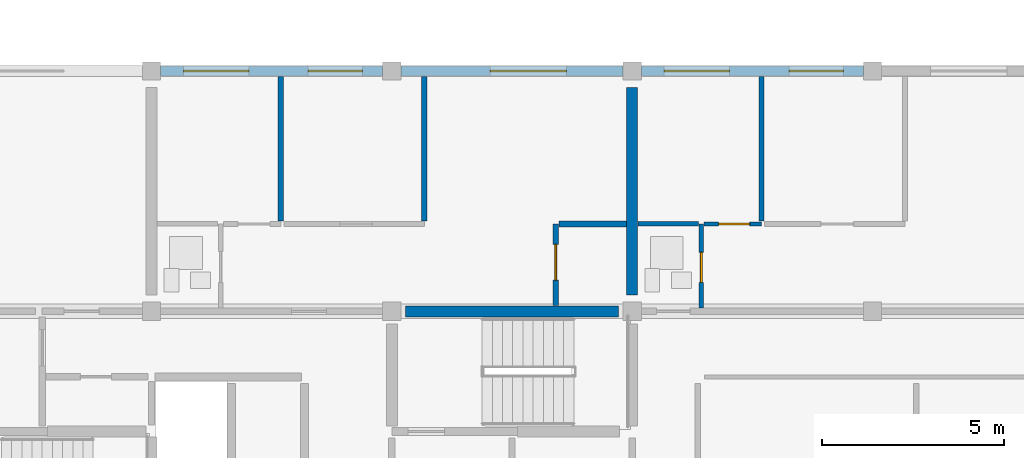
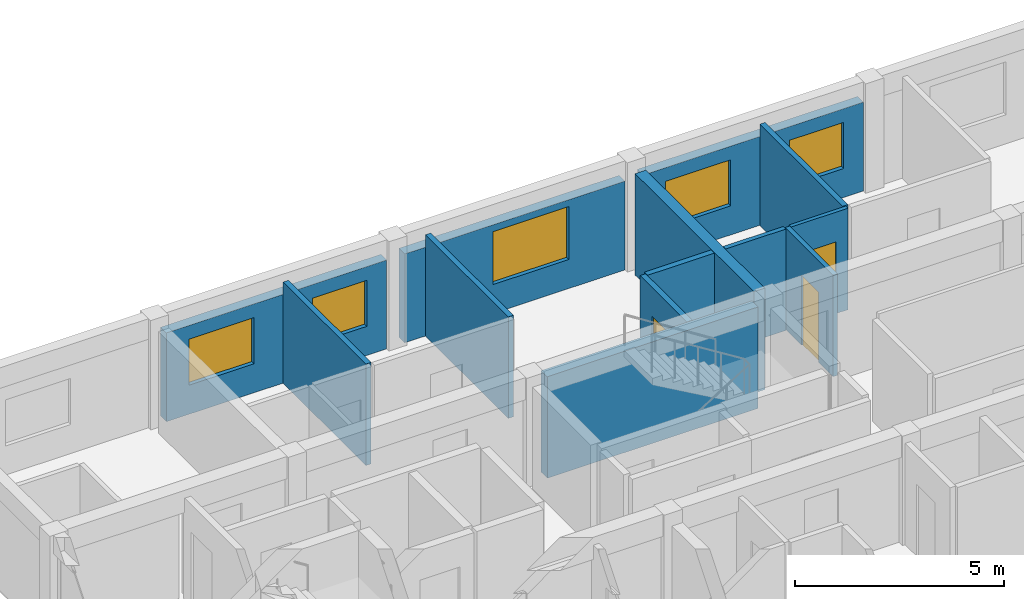
# One storey, part 36 of 49: 13 walls, 5 windows, 3 doors, 8 openings.
"""IFC4 building model written with IfcOpenShell, lengths in metres."""

from ifc_helpers import new_model, si_unit, direction, frame, frame_2d, origin, place, context, subcontext, project, spatial, rectangle, extrude, material, layer, layer_set, type_object, element, fill, save


model = new_model("IFC4")

# Units and contexts
model_context = context("Model", 3, precision=1e-05, world=origin(), true_north=direction((0.0, 1.0)))
body_context = subcontext(model_context, "Body", "Model", "MODEL_VIEW")
ifc_project = project(units=[si_unit("LENGTHUNIT", "METRE"), si_unit("AREAUNIT", "SQUARE_METRE"), si_unit("VOLUMEUNIT", "CUBIC_METRE"), si_unit("PLANEANGLEUNIT", "RADIAN"), si_unit("MASSUNIT", "GRAM", prefix="KILO")], contexts=[model_context])

# Site, building, storey
site_placement = place(None, origin())
site = spatial("IfcSite", under=ifc_project, at=site_placement, CompositionType="ELEMENT")
building_placement = place(site_placement, origin())
building = spatial("IfcBuilding", under=site, at=building_placement, Name="Kernevlak Ridge Housing Community", CompositionType="ELEMENT")
storey_placement = place(building_placement, frame((0.0, 0.0, 30.800048828125)))
storey = spatial("IfcBuildingStorey", under=building, at=storey_placement, Name="L09", CompositionType="ELEMENT", Elevation=30.800048828125)

# Wall, openings, windows
ifc_material_1 = material(Name="Concrete block masonry M10", Category="masonry")
ifc_layer_1 = layer(ifc_material_1, 0.280029296875, Name="Concrete block masonry M10")
ifc_layer_set_1 = layer_set([ifc_layer_1], Name="Concrete block masonry M10")
wall_type_1 = type_object("IfcWallType", Name="EW-03", PredefinedType="STANDARD", material=ifc_layer_set_1)
wall_1_placement = place(storey_placement, frame((126.25, 102.39990234375, 0.0), z_axis=(0.0, 0.0, 1.0), x_axis=(1.0, 0.0, 0.0)))
wall_1 = element("IfcWall", 1, at=wall_1_placement, inside=storey, type_object=wall_type_1, Name="Exterior wall EW-03 L09 441", PredefinedType="STANDARD", context=body_context, shape_type="SweptSolid", body=[
    extrude(rectangle(XDim=6.10009765625, YDim=0.280029296875, at=frame_2d((3.050048828125, 0.0))), origin(), (0.0, 0.0, 1.0), 2.599853515625),
])
opening_1_placement = place(wall_1_placement, frame((0.625, 0.0, 0.85009765625)))
opening_1 = element("IfcOpeningElement", 2, at=opening_1_placement, cuts=wall_1, Name="Opening WT-03", PredefinedType="OPENING", context=body_context, shape_type="SweptSolid", body=[
    extrude(rectangle(XDim=1.800048828125, YDim=1.35009765625, at=frame_2d((0.89990234375, 0.675048828125))), frame((0.0, 0.14990234375, 0.0), z_axis=(0.0, -1.0, 0.0), x_axis=(1.0, 0.0, 0.0)), (0.0, 0.0, 1.0), 0.300048828125),
])
opening_2_placement = place(wall_1_placement, frame((4.050048828125, 0.0, 0.85009765625)))
opening_2 = element("IfcOpeningElement", 3, at=opening_2_placement, cuts=wall_1, Name="Opening WT-02", PredefinedType="OPENING", context=body_context, shape_type="SweptSolid", body=[
    extrude(rectangle(XDim=1.5, YDim=1.35009765625, at=frame_2d((0.75, 0.675048828125))), frame((0.0, 0.14990234375, 0.0), z_axis=(0.0, -1.0, 0.0), x_axis=(1.0, 0.0, 0.0)), (0.0, 0.0, 1.0), 0.300048828125),
])
ifc_material_2 = material(Name="Aluminium EN AW-6060 anodised and laminated glass", Category="aluminium")
window_type_1 = type_object("IfcWindowType", Name="WT-02", PartitioningType="SINGLE_PANEL", PredefinedType="WINDOW", material=ifc_material_2)
window_1_placement = place(opening_2_placement, origin())
window_1 = element("IfcWindow", 4, at=window_1_placement, inside=storey, type_object=window_type_1, Name="Window WT-02 L09 343", OverallHeight=1.35009765625, OverallWidth=1.5, PartitioningType="SINGLE_PANEL", PredefinedType="WINDOW", context=body_context, shape_type="SweptSolid", body=[
    extrude(rectangle(XDim=1.5, YDim=1.35009765625, at=frame_2d((0.75, 0.675048828125))), frame((0.0, 0.030029296875, 0.0), z_axis=(0.0, -1.0, 0.0), x_axis=(1.0, 0.0, 0.0)), (0.0, 0.0, 1.0), 0.06005859375),
])
fill(opening_2, window_1)
window_type_2 = type_object("IfcWindowType", Name="WT-03", PartitioningType="SINGLE_PANEL", PredefinedType="WINDOW", material=ifc_material_2)
window_2_placement = place(opening_1_placement, origin())
window_2 = element("IfcWindow", 5, at=window_2_placement, inside=storey, type_object=window_type_2, Name="Window WT-03 L09 342", OverallHeight=1.35009765625, OverallWidth=1.800048828125, PartitioningType="SINGLE_PANEL", PredefinedType="WINDOW", context=body_context, shape_type="SweptSolid", body=[
    extrude(rectangle(XDim=1.800048828125, YDim=1.35009765625, at=frame_2d((0.89990234375, 0.675048828125))), frame((0.0, 0.030029296875, 0.0), z_axis=(0.0, -1.0, 0.0), x_axis=(1.0, 0.0, 0.0)), (0.0, 0.0, 1.0), 0.06005859375),
])
fill(opening_1, window_2)

# Wall, opening, window
wall_2_placement = place(storey_placement, frame((132.85009765625, 102.39990234375, 0.0), z_axis=(0.0, 0.0, 1.0), x_axis=(1.0, 0.0, 0.0)))
wall_2 = element("IfcWall", 6, at=wall_2_placement, inside=storey, type_object=wall_type_1, Name="Exterior wall EW-03 L09 442", PredefinedType="STANDARD", context=body_context, shape_type="SweptSolid", body=[
    extrude(rectangle(XDim=6.099853515625, YDim=0.280029296875, at=frame_2d((3.0498046875, 0.0))), origin(), (0.0, 0.0, 1.0), 2.599853515625),
])
opening_3_placement = place(wall_2_placement, frame((2.446044921875, 0.0, 0.85009765625)))
opening_3 = element("IfcOpeningElement", 7, at=opening_3_placement, cuts=wall_2, Name="Opening WT-05", PredefinedType="OPENING", context=body_context, shape_type="SweptSolid", body=[
    extrude(rectangle(XDim=2.10009765625, YDim=1.550048828125, at=frame_2d((1.050048828125, 0.77490234375))), frame((0.0, 0.14990234375, 0.0), z_axis=(0.0, -1.0, 0.0), x_axis=(1.0, 0.0, 0.0)), (0.0, 0.0, 1.0), 0.300048828125),
])
window_type_3 = type_object("IfcWindowType", Name="WT-05", PartitioningType="SINGLE_PANEL", PredefinedType="WINDOW", material=ifc_material_2)
window_3_placement = place(opening_3_placement, origin())
window_3 = element("IfcWindow", 8, at=window_3_placement, inside=storey, type_object=window_type_3, Name="Window WT-05 L09 344", OverallHeight=1.550048828125, OverallWidth=2.10009765625, PartitioningType="SINGLE_PANEL", PredefinedType="WINDOW", context=body_context, shape_type="SweptSolid", body=[
    extrude(rectangle(XDim=2.10009765625, YDim=1.550048828125, at=frame_2d((1.050048828125, 0.77490234375))), frame((0.0, 0.030029296875, 0.0), z_axis=(0.0, -1.0, 0.0), x_axis=(1.0, 0.0, 0.0)), (0.0, 0.0, 1.0), 0.06005859375),
])
fill(opening_3, window_3)

# Wall, openings, windows
wall_3_placement = place(storey_placement, frame((139.449951171875, 102.39990234375, 0.0), z_axis=(0.0, 0.0, 1.0), x_axis=(1.0, 0.0, 0.0)))
wall_3 = element("IfcWall", 9, at=wall_3_placement, inside=storey, type_object=wall_type_1, Name="Exterior wall EW-03 L09 443", PredefinedType="STANDARD", context=body_context, shape_type="SweptSolid", body=[
    extrude(rectangle(XDim=6.10009765625, YDim=0.280029296875, at=frame_2d((3.050048828125, 0.0))), origin(), (0.0, 0.0, 1.0), 2.599853515625),
])
opening_4_placement = place(wall_3_placement, frame((0.625, 0.0, 0.85009765625)))
opening_4 = element("IfcOpeningElement", 10, at=opening_4_placement, cuts=wall_3, Name="Opening WT-03", PredefinedType="OPENING", context=body_context, shape_type="SweptSolid", body=[
    extrude(rectangle(XDim=1.800048828125, YDim=1.35009765625, at=frame_2d((0.89990234375, 0.675048828125))), frame((0.0, 0.14990234375, 0.0), z_axis=(0.0, -1.0, 0.0), x_axis=(1.0, 0.0, 0.0)), (0.0, 0.0, 1.0), 0.300048828125),
])
opening_5_placement = place(wall_3_placement, frame((4.050048828125, 0.0, 0.85009765625)))
opening_5 = element("IfcOpeningElement", 11, at=opening_5_placement, cuts=wall_3, Name="Opening WT-02", PredefinedType="OPENING", context=body_context, shape_type="SweptSolid", body=[
    extrude(rectangle(XDim=1.5, YDim=1.35009765625, at=frame_2d((0.75, 0.675048828125))), frame((0.0, 0.14990234375, 0.0), z_axis=(0.0, -1.0, 0.0), x_axis=(1.0, 0.0, 0.0)), (0.0, 0.0, 1.0), 0.300048828125),
])
window_4_placement = place(opening_5_placement, origin())
window_4 = element("IfcWindow", 12, at=window_4_placement, inside=storey, type_object=window_type_1, Name="Window WT-02 L09 346", OverallHeight=1.35009765625, OverallWidth=1.5, PartitioningType="SINGLE_PANEL", PredefinedType="WINDOW", context=body_context, shape_type="SweptSolid", body=[
    extrude(rectangle(XDim=1.5, YDim=1.35009765625, at=frame_2d((0.75, 0.675048828125))), frame((0.0, 0.030029296875, 0.0), z_axis=(0.0, -1.0, 0.0), x_axis=(1.0, 0.0, 0.0)), (0.0, 0.0, 1.0), 0.06005859375),
])
fill(opening_5, window_4)
window_5_placement = place(opening_4_placement, origin())
window_5 = element("IfcWindow", 13, at=window_5_placement, inside=storey, type_object=window_type_2, Name="Window WT-03 L09 345", OverallHeight=1.35009765625, OverallWidth=1.800048828125, PartitioningType="SINGLE_PANEL", PredefinedType="WINDOW", context=body_context, shape_type="SweptSolid", body=[
    extrude(rectangle(XDim=1.800048828125, YDim=1.35009765625, at=frame_2d((0.89990234375, 0.675048828125))), frame((0.0, 0.030029296875, 0.0), z_axis=(0.0, -1.0, 0.0), x_axis=(1.0, 0.0, 0.0)), (0.0, 0.0, 1.0), 0.06005859375),
])
fill(opening_4, window_5)

# Walls
ifc_layer_2 = layer(ifc_material_1, 0.14501953125, Name="Concrete block masonry M10")
ifc_layer_set_2 = layer_set([ifc_layer_2], Name="Concrete block masonry M10")
wall_type_2 = type_object("IfcWallType", Name="PW-03", PredefinedType="PARTITIONING", material=ifc_layer_set_2)
for number, where, z_axis, x_axis, name in (
    (14, (129.550048828125, 98.282470703125, 0.0), (0.0, 0.0, 1.0), (0.0, 1.0, 0.0), "Interior wall PW-03 WAL-INT-L09-1753"),
    (15, (133.491943359375, 98.282470703125, 0.0), (0.0, 0.0, 1.0), (0.0, 1.0, 0.0), "Interior wall PW-03 WAL-INT-L09-1755"),
):
    element("IfcWall", number, at=place(storey_placement, frame(where, z_axis=z_axis, x_axis=x_axis)), inside=storey, type_object=wall_type_2, Name=name, PredefinedType="PARTITIONING", context=body_context, shape_type="SweptSolid", body=[
        extrude(rectangle(XDim=3.967529296875, YDim=0.14501953125, at=frame_2d((1.98388671875, 0.0))), origin(), (0.0, 0.0, 1.0), 2.969970703125),
    ])
wall_4_placement = place(storey_placement, frame((142.75, 98.280029296875, 0.0), z_axis=(0.0, 0.0, 1.0), x_axis=(0.0, 1.0, 0.0)))
element("IfcWall", 16, at=wall_4_placement, inside=storey, type_object=wall_type_2, Name="Interior wall PW-03 WAL-INT-L09-1762", PredefinedType="PARTITIONING", context=body_context, shape_type="SweptSolid", body=[
    extrude(rectangle(XDim=3.969970703125, YDim=0.14501953125, at=frame_2d((1.98486328125, 0.0))), origin(), (0.0, 0.0, 1.0), 2.969970703125),
])

# Wall, opening, door
ifc_material_3 = material(Name="Gypsum plasterboard EN 520", Category="gypsum")
ifc_layer_3 = layer(ifc_material_3, 0.125, Name="Gypsum plasterboard EN 520")
ifc_layer_set_3 = layer_set([ifc_layer_3], Name="Gypsum plasterboard EN 520")
wall_type_3 = type_object("IfcWallType", Name="PW-04", PredefinedType="PARTITIONING", material=ifc_layer_set_3)
wall_5_placement = place(storey_placement, frame((141.10009765625, 95.8974609375, 0.0), z_axis=(0.0, 0.0, 1.0), x_axis=(0.0, 1.0, 0.0)))
wall_5 = element("IfcWall", 17, at=wall_5_placement, inside=storey, type_object=wall_type_3, Name="Interior wall PW-04 WAL-INT-L09-1757", PredefinedType="PARTITIONING", context=body_context, shape_type="SweptSolid", body=[
    extrude(rectangle(XDim=2.302490234375, YDim=0.125, at=frame_2d((1.1513671875, 0.0))), origin(), (0.0, 0.0, 1.0), 2.969970703125),
])
opening_6_placement = place(wall_5_placement, frame((0.699951171875, 0.0, 0.0)))
opening_6 = element("IfcOpeningElement", 18, at=opening_6_placement, cuts=wall_5, Name="Opening D890", PredefinedType="OPENING", context=body_context, shape_type="SweptSolid", body=[
    extrude(rectangle(XDim=0.820068359375, YDim=2.050048828125, at=frame_2d((0.41015625, 1.02490234375))), frame((0.0, 0.072509765625, 0.0), z_axis=(0.0, -1.0, 0.0), x_axis=(1.0, 0.0, 0.0)), (0.0, 0.0, 1.0), 0.14501953125),
])
ifc_material_4 = material(Name="Hardwood timber moisture-resistant leaf", Category="wood")
door_type_1 = type_object("IfcDoorType", Name="DT-30", OperationType="NOTDEFINED", PredefinedType="DOOR", material=ifc_material_4)
door_1_placement = place(opening_6_placement, origin())
door_1 = element("IfcDoor", 19, at=door_1_placement, inside=storey, type_object=door_type_1, Name="Flat B0923 bathroom door D890", OperationType="SINGLE_SWING_RIGHT", OverallHeight=2.050048828125, OverallWidth=0.820068359375, PredefinedType="DOOR", context=body_context, shape_type="SweptSolid", body=[
    extrude(rectangle(XDim=0.820068359375, YDim=2.050048828125, at=frame_2d((0.41015625, 1.02490234375))), frame((0.0, 0.02490234375, 0.0), z_axis=(0.0, -1.0, 0.0), x_axis=(1.0, 0.0, 0.0)), (0.0, 0.0, 1.0), 0.050048828125),
])
fill(opening_6, door_1)

# Wall
wall_6_placement = place(storey_placement, frame((139.360107421875, 98.199951171875, 0.0), z_axis=(0.0, 0.0, 1.0), x_axis=(1.0, 0.0, 0.0)))
element("IfcWall", 20, at=wall_6_placement, inside=storey, type_object=wall_type_3, Name="Interior wall PW-04 WAL-INT-L09-1758", PredefinedType="PARTITIONING", context=body_context, shape_type="SweptSolid", body=[
    extrude(rectangle(XDim=1.659912109375, YDim=0.125, at=frame_2d((0.830078125, 0.0))), origin(), (0.0, 0.0, 1.0), 2.969970703125),
])

# Wall, opening, door
ifc_layer_4 = layer(ifc_material_3, 0.155029296875, Name="Gypsum plasterboard EN 520")
ifc_layer_set_4 = layer_set([ifc_layer_4], Name="Gypsum plasterboard EN 520")
wall_type_4 = type_object("IfcWallType", Name="PW-05", PredefinedType="PARTITIONING", material=ifc_layer_set_4)
wall_7_placement = place(storey_placement, frame((137.10009765625, 95.9599609375, 0.0), z_axis=(0.0, 0.0, 1.0), x_axis=(0.0, 1.0, 0.0)))
wall_7 = element("IfcWall", 21, at=wall_7_placement, inside=storey, type_object=wall_type_4, Name="Interior wall PW-05 WAL-INT-L09-1750", PredefinedType="PARTITIONING", context=body_context, shape_type="SweptSolid", body=[
    extrude(rectangle(XDim=2.239990234375, YDim=0.155029296875, at=frame_2d((1.1201171875, 0.0))), origin(), (0.0, 0.0, 1.0), 2.969970703125),
])
opening_7_placement = place(wall_7_placement, frame((0.699951171875, 0.0, 0.0)))
opening_7 = element("IfcOpeningElement", 22, at=opening_7_placement, cuts=wall_7, Name="Opening D886", PredefinedType="OPENING", context=body_context, shape_type="SweptSolid", body=[
    extrude(rectangle(XDim=0.97998046875, YDim=2.1201171875, at=frame_2d((0.489990234375, 1.06005859375))), frame((0.0, 0.08740234375, 0.0), z_axis=(0.0, -1.0, 0.0), x_axis=(1.0, 0.0, 0.0)), (0.0, 0.0, 1.0), 0.175048828125),
])
ifc_material_5 = material(Name="Hardwood timber leaf", Category="wood")
door_type_2 = type_object("IfcDoorType", Name="DT-24", OperationType="NOTDEFINED", PredefinedType="DOOR", material=ifc_material_5)
door_2_placement = place(opening_7_placement, origin())
door_2 = element("IfcDoor", 23, at=door_2_placement, inside=storey, type_object=door_type_2, Name="Flat B0922 kitchen door D886", OperationType="SINGLE_SWING_RIGHT", OverallHeight=2.1201171875, OverallWidth=0.97998046875, PredefinedType="DOOR", context=body_context, shape_type="SweptSolid", body=[
    extrude(rectangle(XDim=0.97998046875, YDim=2.1201171875, at=frame_2d((0.489990234375, 1.06005859375))), frame((0.0, 0.02490234375, 0.0), z_axis=(0.0, -1.0, 0.0), x_axis=(1.0, 0.0, 0.0)), (0.0, 0.0, 1.0), 0.050048828125),
])
fill(opening_7, door_2)

# Wall
wall_8_placement = place(storey_placement, frame((137.1875, 98.199951171875, 0.0), z_axis=(0.0, 0.0, 1.0), x_axis=(1.0, 0.0, 0.0)))
element("IfcWall", 24, at=wall_8_placement, inside=storey, type_object=wall_type_4, Name="Interior wall PW-05 WAL-INT-L09-1751", PredefinedType="PARTITIONING", context=body_context, shape_type="SweptSolid", body=[
    extrude(rectangle(XDim=1.8525390625, YDim=0.155029296875, at=frame_2d((0.92626953125, 0.0))), origin(), (0.0, 0.0, 1.0), 2.969970703125),
])

# Wall, opening, door
ifc_layer_5 = layer(ifc_material_3, 0.10498046875, Name="Gypsum plasterboard EN 520")
ifc_layer_set_5 = layer_set([ifc_layer_5], Name="Gypsum plasterboard EN 520")
wall_type_5 = type_object("IfcWallType", Name="PW-06", PredefinedType="PARTITIONING", material=ifc_layer_set_5)
wall_9_placement = place(storey_placement, frame((141.172607421875, 98.199951171875, 0.0), z_axis=(0.0, 0.0, 1.0), x_axis=(1.0, 0.0, 0.0)))
wall_9 = element("IfcWall", 25, at=wall_9_placement, inside=storey, type_object=wall_type_5, Name="Interior wall PW-06 WAL-INT-L09-1761", PredefinedType="PARTITIONING", context=body_context, shape_type="SweptSolid", body=[
    extrude(rectangle(XDim=1.577392578125, YDim=0.10498046875, at=frame_2d((0.78857421875, 0.0))), origin(), (0.0, 0.0, 1.0), 2.969970703125),
])
opening_8_placement = place(wall_9_placement, frame((0.39990234375, 0.0, 0.0)))
opening_8 = element("IfcOpeningElement", 26, at=opening_8_placement, cuts=wall_9, Name="Opening D892", PredefinedType="OPENING", context=body_context, shape_type="SweptSolid", body=[
    extrude(rectangle(XDim=0.85009765625, YDim=2.10009765625, at=frame_2d((0.425048828125, 1.050048828125))), frame((0.0, 0.0625, 0.0), z_axis=(0.0, -1.0, 0.0), x_axis=(1.0, 0.0, 0.0)), (0.0, 0.0, 1.0), 0.125),
])
door_type_3 = type_object("IfcDoorType", Name="DT-03", OperationType="NOTDEFINED", PredefinedType="DOOR", material=ifc_material_5)
door_3_placement = place(opening_8_placement, origin())
door_3 = element("IfcDoor", 27, at=door_3_placement, inside=storey, type_object=door_type_3, Name="Flat B0923 bedroom door D892", OperationType="SINGLE_SWING_RIGHT", OverallHeight=2.10009765625, OverallWidth=0.85009765625, PredefinedType="DOOR", context=body_context, shape_type="SweptSolid", body=[
    extrude(rectangle(XDim=0.85009765625, YDim=2.10009765625, at=frame_2d((0.425048828125, 1.050048828125))), frame((0.0, 0.02490234375, 0.0), z_axis=(0.0, -1.0, 0.0), x_axis=(1.0, 0.0, 0.0)), (0.0, 0.0, 1.0), 0.050048828125),
])
fill(opening_8, door_3)

# Walls
ifc_material_6 = material(Name="Concrete C40/50", Category="concrete")
ifc_layer_6 = layer(ifc_material_6, 0.300048828125, Name="Concrete C40/50")
ifc_layer_set_6 = layer_set([ifc_layer_6], Name="Concrete C40/50")
wall_type_6 = type_object("IfcWallType", Name="SW-02", PredefinedType="SHEAR", material=ifc_layer_set_6)
wall_10_placement = place(storey_placement, frame((132.97998046875, 95.800048828125, 0.0), z_axis=(0.0, 0.0, 1.0), x_axis=(1.0, 0.0, 0.0)))
element("IfcWall", 28, at=wall_10_placement, inside=storey, type_object=wall_type_6, Name="Shear wall SW-02 Block B L09 304", PredefinedType="SHEAR", context=body_context, shape_type="SweptSolid", body=[
    extrude(rectangle(XDim=5.840087890625, YDim=0.300048828125, at=frame_2d((2.919921875, 0.0))), origin(), (0.0, 0.0, 1.0), 2.969970703125),
])
wall_11_placement = place(storey_placement, frame((139.199951171875, 96.25, 0.0), z_axis=(0.0, 0.0, 1.0), x_axis=(0.0, 1.0, 0.0)))
element("IfcWall", 29, at=wall_11_placement, inside=storey, type_object=wall_type_6, Name="Shear wall SW-02 Block B L09 310", PredefinedType="SHEAR", context=body_context, shape_type="SweptSolid", body=[
    extrude(rectangle(XDim=5.699951171875, YDim=0.300048828125, at=frame_2d((2.85009765625, 0.0))), origin(), (0.0, 0.0, 1.0), 2.969970703125),
])

save(model, "model.ifc")
